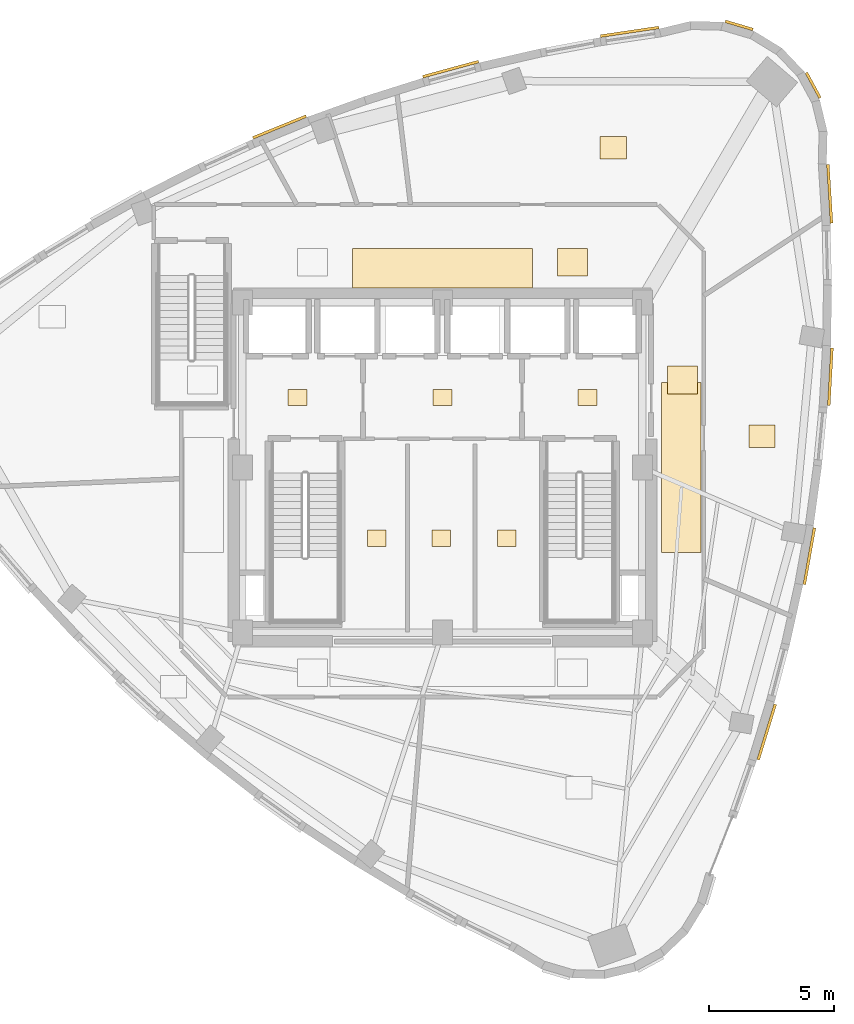
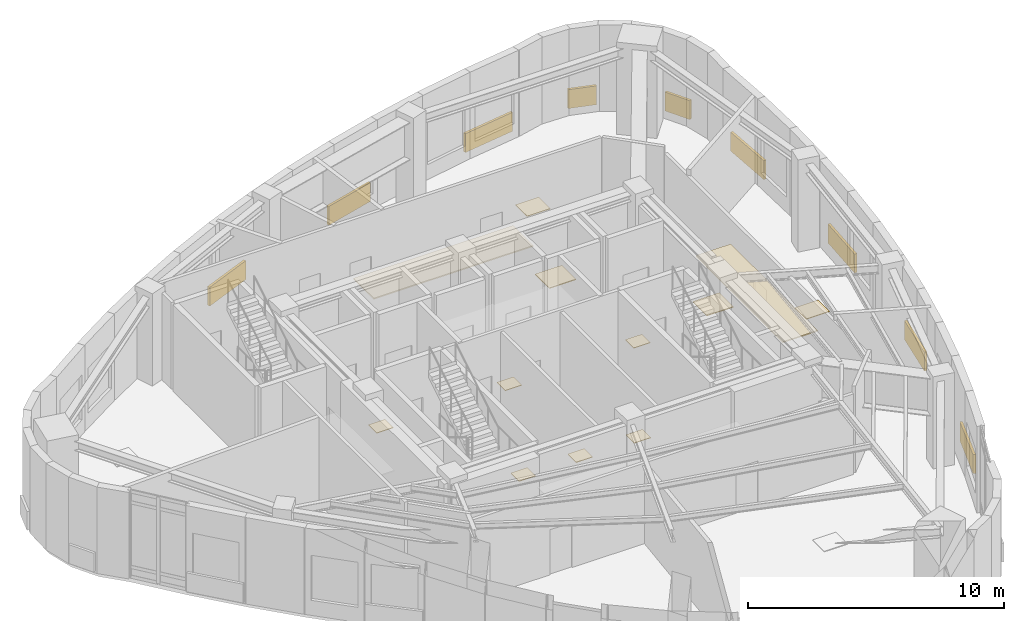
# One storey, part 14 of 14: 21 coverings.
"""IFC4 building model written with IfcOpenShell, lengths in metres."""

from ifc_helpers import new_model, si_unit, direction, frame, origin, origin_2d, place, context, subcontext, project, spatial, rectangle, extrude, material, layer, layer_set, type_object, element, save


model = new_model("IFC4")

# Units and contexts
model_context = context("Model", 3, precision=1e-05, world=origin(), true_north=direction((0.0, 1.0)))
body_context = subcontext(model_context, "Body", "Model", "MODEL_VIEW")
ifc_project = project(units=[si_unit("LENGTHUNIT", "METRE"), si_unit("AREAUNIT", "SQUARE_METRE"), si_unit("VOLUMEUNIT", "CUBIC_METRE"), si_unit("PLANEANGLEUNIT", "RADIAN"), si_unit("MASSUNIT", "GRAM", prefix="KILO")], contexts=[model_context])

# Site, building, storey
site_placement = place(None, origin())
site = spatial("IfcSite", under=ifc_project, at=site_placement, CompositionType="ELEMENT")
building_placement = place(site_placement, origin())
building = spatial("IfcBuilding", under=site, at=building_placement, Name="Ndelora Gate Hotel", CompositionType="ELEMENT")
storey_placement = place(building_placement, frame((0.0, 0.0, 281.60009765625)))
storey = spatial("IfcBuildingStorey", under=building, at=storey_placement, Name="L70", CompositionType="ELEMENT", Elevation=281.60009765625)

# Coverings
ifc_material_1 = material(Name="Perforated Acoustic Gypsum Board", Category="gypsum")
ifc_layer_1 = layer(ifc_material_1, 0.054931640625)
ifc_layer_set_1 = layer_set([ifc_layer_1], Name="Perforated Acoustic Gypsum Board")
covering_type_1 = type_object("IfcCoveringType", Name="COV-CEIL-AC60", PredefinedType="CEILING", material=ifc_layer_set_1)
covering_1_placement = place(storey_placement, frame((0.0, 7.9599609375, 2.65234375), z_axis=(0.0, 0.0, 1.0), x_axis=(1.0, 0.0, 0.0)))
element("IfcCovering", 1, at=covering_1_placement, inside=storey, type_object=covering_type_1, Name="L70 Guest Corridor Acoustic Ceiling N", PredefinedType="CEILING", context=body_context, shape_type="SweptSolid", body=[
    extrude(rectangle(XDim=7.199951171875, YDim=1.580078125, at=origin_2d()), origin(), (0.0, 0.0, 1.0), 0.054931640625),
])
covering_2_placement = place(storey_placement, frame((9.550048828125, 0.0, 2.65234375), z_axis=(0.0, 0.0, 1.0), x_axis=(1.0, 0.0, 0.0)))
element("IfcCovering", 2, at=covering_2_placement, inside=storey, type_object=covering_type_1, Name="L70 Guest Corridor Acoustic Ceiling E", PredefinedType="CEILING", context=body_context, shape_type="SweptSolid", body=[
    extrude(rectangle(XDim=1.580078125, YDim=6.800048828125, at=origin_2d()), origin(), (0.0, 0.0, 1.0), 0.054931640625),
])
ifc_material_2 = material(Name="Terracotta Fired Clay Brick Slip Cladding", Category="masonry")
ifc_layer_2 = layer(ifc_material_2, 0.110107421875)
ifc_layer_set_2 = layer_set([ifc_layer_2], Name="Terracotta Fired Clay Brick Slip Cladding")
covering_type_2 = type_object("IfcCoveringType", Name="COV-CLAD-BRK", PredefinedType="CLADDING", material=ifc_layer_set_2)
covering_3_placement = place(storey_placement, frame((12.968994140625, -10.581787109375, 0.099853515625), z_axis=(0.0, 0.0, 1.0), x_axis=(0.293706672624, 0.955895596002, 0.0)))
element("IfcCovering", 3, at=covering_3_placement, inside=storey, type_object=covering_type_2, Name="L70 Rounded-Corner Brick Cladding Band 31", PredefinedType="CLADDING", context=body_context, shape_type="SweptSolid", body=[
    extrude(rectangle(XDim=2.322021484375, YDim=0.110107421875, at=origin_2d()), origin(), (0.0, 0.0, 1.0), 0.89990234375),
])
covering_4_placement = place(storey_placement, frame((14.676513671875, -3.542724609375, 0.099853515625), z_axis=(0.0, 0.0, 1.0), x_axis=(0.176397599067, 0.984318996588, 0.0)))
element("IfcCovering", 4, at=covering_4_placement, inside=storey, type_object=covering_type_2, Name="L70 Rounded-Corner Brick Cladding Band 34", PredefinedType="CLADDING", context=body_context, shape_type="SweptSolid", body=[
    extrude(rectangle(XDim=2.298095703125, YDim=0.110107421875, at=origin_2d()), origin(), (0.0, 0.0, 1.0), 0.89990234375),
])
covering_5_placement = place(storey_placement, frame((15.516845703125, 3.6337890625, 0.099853515625), z_axis=(0.0, 0.0, 1.0), x_axis=(0.055995764929, 0.998431006284, 0.0)))
element("IfcCovering", 5, at=covering_5_placement, inside=storey, type_object=covering_type_2, Name="L70 Rounded-Corner Brick Cladding Band 37", PredefinedType="CLADDING", context=body_context, shape_type="SweptSolid", body=[
    extrude(rectangle(XDim=2.31005859375, YDim=0.110107421875, at=origin_2d()), origin(), (0.0, 0.0, 1.0), 0.89990234375),
])
covering_6_placement = place(storey_placement, frame((15.489501953125, 10.946533203125, 0.099853515625), z_axis=(0.0, 0.0, 1.0), x_axis=(-0.062267945373, 0.998059468659, 0.0)))
element("IfcCovering", 6, at=covering_6_placement, inside=storey, type_object=covering_type_2, Name="L70 Rounded-Corner Brick Cladding Band 40", PredefinedType="CLADDING", context=body_context, shape_type="SweptSolid", body=[
    extrude(rectangle(XDim=2.35693359375, YDim=0.110107421875, at=origin_2d()), origin(), (0.0, 0.0, 1.0), 0.89990234375),
])
for number, where, z_axis, x_axis, name in (
    (7, (14.828369140625, 15.284912109375, 0.099853515625), (0.0, 0.0, 1.0), (-0.47715876026, 0.878817112662, 0.0), "L70 Rounded-Corner Brick Cladding Band 43"),
    (8, (11.867919921875, 17.68212890625, 0.099853515625), (0.0, 0.0, 1.0), (-0.958819734868, 0.284015344704, 0.0), "L70 Rounded-Corner Brick Cladding Band 46"),
):
    element("IfcCovering", number, at=place(storey_placement, frame(where, z_axis=z_axis, x_axis=x_axis)), inside=storey, type_object=covering_type_2, Name=name, PredefinedType="CLADDING", context=body_context, shape_type="SweptSolid", body=[
        extrude(rectangle(XDim=1.153076171875, YDim=0.110107421875, at=origin_2d()), origin(), (0.0, 0.0, 1.0), 0.89990234375),
    ])
covering_7_placement = place(storey_placement, frame((7.48681640625, 17.427001953125, 0.099853515625), z_axis=(0.0, 0.0, 1.0), x_axis=(0.989195708464, 0.146600990296, 0.0)))
element("IfcCovering", 9, at=covering_7_placement, inside=storey, type_object=covering_type_2, Name="L70 Rounded-Corner Brick Cladding Band 49", PredefinedType="CLADDING", context=body_context, shape_type="SweptSolid", body=[
    extrude(rectangle(XDim=2.35693359375, YDim=0.110107421875, at=origin_2d()), origin(), (0.0, 0.0, 1.0), 0.89990234375),
])
covering_8_placement = place(storey_placement, frame((0.328125, 15.93310546875, 0.099853515625), z_axis=(0.0, 0.0, 1.0), x_axis=(0.96497071913, 0.262357601798, 0.0)))
element("IfcCovering", 10, at=covering_8_placement, inside=storey, type_object=covering_type_2, Name="L70 Rounded-Corner Brick Cladding Band 52", PredefinedType="CLADDING", context=body_context, shape_type="SweptSolid", body=[
    extrude(rectangle(XDim=2.31005859375, YDim=0.110107421875, at=origin_2d()), origin(), (0.0, 0.0, 1.0), 0.89990234375),
])
covering_9_placement = place(storey_placement, frame((-6.516845703125, 13.619140625, 0.099853515625), z_axis=(0.0, 0.0, 1.0), x_axis=(0.926134141791, 0.377194315187, 0.0)))
element("IfcCovering", 11, at=covering_9_placement, inside=storey, type_object=covering_type_2, Name="L70 Rounded-Corner Brick Cladding Band 55", PredefinedType="CLADDING", context=body_context, shape_type="SweptSolid", body=[
    extrude(rectangle(XDim=2.298095703125, YDim=0.110107421875, at=origin_2d()), origin(), (0.0, 0.0, 1.0), 0.89990234375),
])
ifc_material_3 = material(Name="Engineered Highland Oak Parquet", Category="wood")
ifc_layer_3 = layer(ifc_material_3, 0.030029296875)
ifc_layer_set_3 = layer_set([ifc_layer_3], Name="Engineered Highland Oak Parquet")
covering_type_3 = type_object("IfcCoveringType", Name="COV-FLR-PARQ", PredefinedType="FLOORING", material=ifc_layer_set_3)
for number, where, z_axis, x_axis, name in (
    (12, (12.782958984375, 1.251220703125, 0.0), (0.0, 0.0, 1.0), (1.0, 0.0, 0.0), "L70 Mixology Service Kitchen Oak Parquet Flooring"),
    (13, (6.828857421875, 12.78369140625, 0.0), (0.0, 0.0, 1.0), (1.0, 0.0, 0.0), "L70 Acoustic Jazz Library Oak Parquet Flooring"),
):
    element("IfcCovering", number, at=place(storey_placement, frame(where, z_axis=z_axis, x_axis=x_axis)), inside=storey, type_object=covering_type_3, Name=name, PredefinedType="FLOORING", context=body_context, shape_type="SweptSolid", body=[
        extrude(rectangle(XDim=1.050048828125, YDim=0.89990234375, at=origin_2d()), origin(), (0.0, 0.0, 1.0), 0.030029296875),
    ])
ifc_material_4 = material(Name="Polished Highland Stone Terrazzo", Category="masonry")
ifc_layer_4 = layer(ifc_material_4, 0.034912109375)
ifc_layer_set_4 = layer_set([ifc_layer_4], Name="Polished Highland Stone Terrazzo")
covering_type_4 = type_object("IfcCoveringType", Name="COV-FLR-TERZ", PredefinedType="FLOORING", material=ifc_layer_set_4)
for number, where, z_axis, x_axis, name in (
    (14, (5.199951171875, 8.199951171875, 0.0), (0.0, 0.0, 1.0), (1.0, 0.0, 0.0), "L70 Corridor Threshold Terrazzo Inlay NE"),
    (15, (9.60009765625, 3.5, 0.0), (0.0, 0.0, 1.0), (1.0, 0.0, 0.0), "L70 Corridor Threshold Terrazzo Inlay E"),
):
    element("IfcCovering", number, at=place(storey_placement, frame(where, z_axis=z_axis, x_axis=x_axis)), inside=storey, type_object=covering_type_4, Name=name, PredefinedType="FLOORING", context=body_context, shape_type="SweptSolid", body=[
        extrude(rectangle(XDim=1.199951171875, YDim=1.10009765625, at=origin_2d()), origin(), (0.0, 0.0, 1.0), 0.034912109375),
    ])
ifc_material_5 = material(Name="Non-Slip Porcelain Wet-Room Tile", Category="ceramic")
ifc_layer_5 = layer(ifc_material_5, 0.02490234375)
ifc_layer_set_5 = layer_set([ifc_layer_5], Name="Non-Slip Porcelain Wet-Room Tile")
covering_type_5 = type_object("IfcCoveringType", Name="COV-FLR-TILE", PredefinedType="FLOORING", material=ifc_layer_set_5)
for number, where, z_axis, x_axis, name in (
    (16, (-5.800048828125, 2.800048828125, 0.0), (0.0, 0.0, 1.0), (1.0, 0.0, 0.0), "L70 Firefighting Lift Lobby West Porcelain Tile Flooring"),
    (17, (5.800048828125, 2.800048828125, 0.0), (0.0, 0.0, 1.0), (1.0, 0.0, 0.0), "L70 Firefighting Lift Lobby East Porcelain Tile Flooring"),
    (18, (0.0, 2.800048828125, 0.0), (0.0, 0.0, 1.0), (1.0, 0.0, 0.0), "L70 Central Passenger Lift Lobby Porcelain Tile Flooring"),
    (19, (-2.625, -2.824951171875, 0.0), (0.0, 0.0, 1.0), (1.0, 0.0, 0.0), "L70 Core Cleaners Store Porcelain Tile Flooring"),
    (20, (-0.050048828125, -2.824951171875, 0.0), (0.0, 0.0, 1.0), (1.0, 0.0, 0.0), "L70 Core Telecoms Equipment Room Porcelain Tile Flooring"),
    (21, (2.574951171875, -2.824951171875, 0.0), (0.0, 0.0, 1.0), (1.0, 0.0, 0.0), "L70 Core Electrical Metering Room Porcelain Tile Flooring"),
):
    element("IfcCovering", number, at=place(storey_placement, frame(where, z_axis=z_axis, x_axis=x_axis)), inside=storey, type_object=covering_type_5, Name=name, PredefinedType="FLOORING", context=body_context, shape_type="SweptSolid", body=[
        extrude(rectangle(XDim=0.75, YDim=0.64990234375, at=origin_2d()), origin(), (0.0, 0.0, 1.0), 0.02490234375),
    ])

save(model, "model.ifc")
